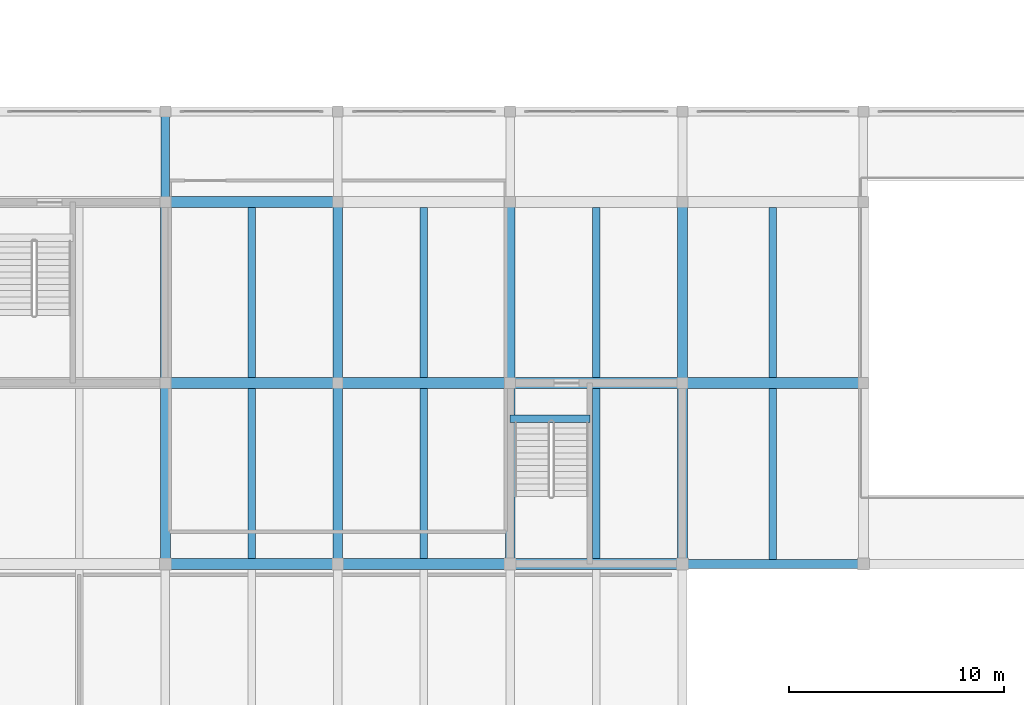
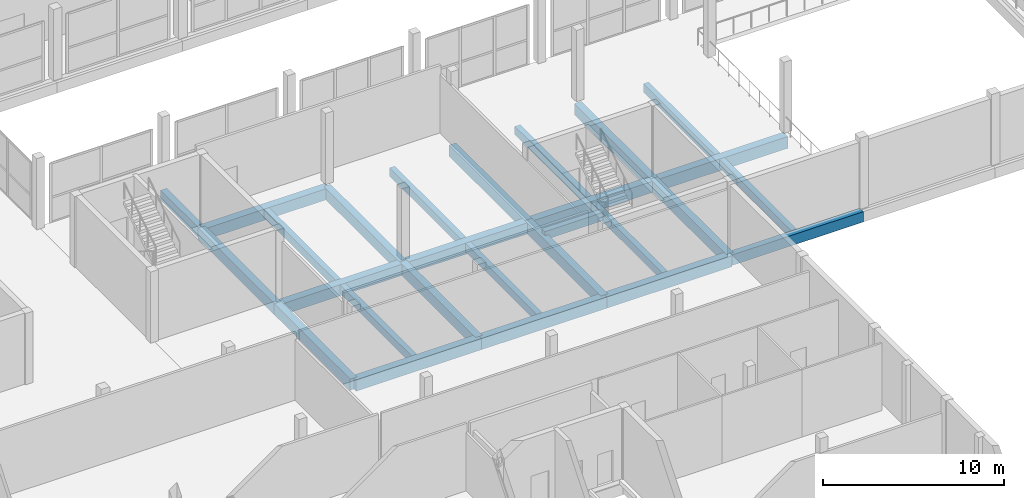
# One storey, part 15 of 47: 27 beams.
"""IFC4 building model written with IfcOpenShell, lengths in metres."""

from ifc_helpers import new_model, si_unit, direction, frame, origin, origin_2d, place, context, subcontext, project, spatial, rectangle, extrude, material, material_profile, profile_set, type_object, element, save


model = new_model("IFC4")

# Units and contexts
model_context = context("Model", 3, precision=1e-05, world=origin(), true_north=direction((0.0, 1.0)))
body_context = subcontext(model_context, "Body", "Model", "MODEL_VIEW")
ifc_project = project(units=[si_unit("LENGTHUNIT", "METRE"), si_unit("AREAUNIT", "SQUARE_METRE"), si_unit("VOLUMEUNIT", "CUBIC_METRE"), si_unit("PLANEANGLEUNIT", "RADIAN"), si_unit("MASSUNIT", "GRAM", prefix="KILO")], contexts=[model_context])

# Site, building, storey
site_placement = place(None, origin())
site = spatial("IfcSite", under=ifc_project, at=site_placement, CompositionType="ELEMENT")
building_placement = place(site_placement, origin())
building = spatial("IfcBuilding", under=site, at=building_placement, Name="Vharandega Faculty of Natural Sciences", CompositionType="ELEMENT")
storey_placement = place(building_placement, frame((0.0, 0.0, 5.39990234375)))
storey = spatial("IfcBuildingStorey", under=building, at=storey_placement, Name="L01", CompositionType="ELEMENT", Elevation=5.39990234375)

# Beams
ifc_material_1 = material(Name="Concrete C40/50", Category="concrete")
ifc_material_profile_1 = material_profile(ifc_material_1, rectangle(XDim=0.39990234375, YDim=0.64990234375, at=origin_2d()), Name="RC 400x650")
ifc_profile_set_1 = profile_set([ifc_material_profile_1], Name="Concrete C40/50")
beam_type_1 = type_object("IfcBeamType", Name="Podium Floor Beam 400x650", PredefinedType="BEAM", material=ifc_profile_set_1)
beam_1_placement = place(storey_placement, frame((32.0, 80.800048828125, -0.60498046875), z_axis=(0.0, 1.0, 0.0), x_axis=(-1.0, 0.0, 0.0)))
element("IfcBeam", 1, at=beam_1_placement, inside=storey, type_object=beam_type_1, Name="Beam L01 5/L-M", PredefinedType="BEAM", context=body_context, shape_type="SweptSolid", body=[
    extrude(rectangle(XDim=0.39990234375, YDim=0.64990234375, at=origin_2d()), origin(), (0.0, 0.0, 1.0), 4.199951171875),
])
ifc_material_2 = material(Name="Concrete C40/50", Category="concrete")
ifc_material_profile_2 = material_profile(ifc_material_2, rectangle(XDim=0.5, YDim=0.800048828125, at=origin_2d()), Name="RC 500x800")
ifc_profile_set_2 = profile_set([ifc_material_profile_2], Name="Concrete C40/50")
beam_type_2 = type_object("IfcBeamType", Name="Podium Heavy Girder 500x800", PredefinedType="BEAM", material=ifc_profile_set_2)
beam_2_placement = place(storey_placement, frame((56.0, 72.39990234375, -0.679931640625), z_axis=(1.0, 0.0, 0.0), x_axis=(0.0, 1.0, 0.0)))
element("IfcBeam", 2, at=beam_2_placement, inside=storey, type_object=beam_type_2, Name="Beam L01 K/8-9", PredefinedType="BEAM", context=body_context, shape_type="SweptSolid", body=[
    extrude(rectangle(XDim=0.5, YDim=0.800048828125, at=origin_2d()), origin(), (0.0, 0.0, 1.0), 8.39990234375),
])
ifc_material_3 = material(Name="Concrete C40/50", Category="concrete")
ifc_material_profile_3 = material_profile(ifc_material_3, rectangle(XDim=0.5, YDim=0.75, at=origin_2d()), Name="RC 500x750")
ifc_profile_set_3 = profile_set([ifc_material_profile_3], Name="Concrete C40/50")
beam_type_3 = type_object("IfcBeamType", Name="Podium Primary Beam 500x750", PredefinedType="BEAM", material=ifc_profile_set_3)
for number, where, z_axis, x_axis, name in (
    (3, (32.0, 64.0, -0.65478515625), (1.0, 0.0, 0.0), (0.0, 1.0, 0.0), "Beam L01 J/5-6"),
    (4, (40.0, 64.0, -0.65478515625), (1.0, 0.0, 0.0), (0.0, 1.0, 0.0), "Beam L01 J/6-7"),
    (5, (48.0, 64.0, -0.65478515625), (1.0, 0.0, 0.0), (0.0, 1.0, 0.0), "Beam L01 J/7-8"),
    (6, (32.0, 72.39990234375, -0.65478515625), (1.0, 0.0, 0.0), (0.0, 1.0, 0.0), "Beam L01 K/5-6"),
    (7, (40.0, 72.39990234375, -0.65478515625), (1.0, 0.0, 0.0), (0.0, 1.0, 0.0), "Beam L01 K/6-7"),
    (8, (48.0, 72.39990234375, -0.65478515625), (1.0, 0.0, 0.0), (0.0, 1.0, 0.0), "Beam L01 K/7-8"),
    (9, (32.0, 80.800048828125, -0.65478515625), (1.0, 0.0, 0.0), (0.0, 1.0, 0.0), "Beam L01 L/5-6"),
):
    element("IfcBeam", number, at=place(storey_placement, frame(where, z_axis=z_axis, x_axis=x_axis)), inside=storey, type_object=beam_type_3, Name=name, PredefinedType="BEAM", context=body_context, shape_type="SweptSolid", body=[
        extrude(rectangle(XDim=0.5, YDim=0.75, at=origin_2d()), origin(), (0.0, 0.0, 1.0), 8.0),
    ])
ifc_material_4 = material(Name="Concrete C40/50", Category="concrete")
ifc_material_profile_4 = material_profile(ifc_material_4, rectangle(XDim=0.35009765625, YDim=0.550048828125, at=origin_2d()), Name="RC 350x550")
ifc_profile_set_4 = profile_set([ifc_material_profile_4], Name="Concrete C40/50")
beam_type_4 = type_object("IfcBeamType", Name="Podium Secondary Beam 350x550", PredefinedType="JOIST", material=ifc_profile_set_4)
beam_3_placement = place(storey_placement, frame((36.0, 64.25, -0.554931640625), z_axis=(0.0, 1.0, 0.0), x_axis=(-1.0, 0.0, 0.0)))
element("IfcBeam", 10, at=beam_3_placement, inside=storey, type_object=beam_type_4, Name="Secondary Joist L01 5-6/J-K", PredefinedType="JOIST", context=body_context, shape_type="SweptSolid", body=[
    extrude(rectangle(XDim=0.35009765625, YDim=0.550048828125, at=origin_2d()), origin(), (0.0, 0.0, 1.0), 7.89990234375),
])
beam_4_placement = place(storey_placement, frame((36.0, 72.64990234375, -0.554931640625), z_axis=(0.0, 1.0, 0.0), x_axis=(-1.0, 0.0, 0.0)))
element("IfcBeam", 11, at=beam_4_placement, inside=storey, type_object=beam_type_4, Name="Secondary Joist L01 5-6/K-L", PredefinedType="JOIST", context=body_context, shape_type="SweptSolid", body=[
    extrude(rectangle(XDim=0.35009765625, YDim=0.550048828125, at=origin_2d()), origin(), (0.0, 0.0, 1.0), 7.900146484375),
])
beam_5_placement = place(storey_placement, frame((44.0, 64.25, -0.554931640625), z_axis=(0.0, 1.0, 0.0), x_axis=(-1.0, 0.0, 0.0)))
element("IfcBeam", 12, at=beam_5_placement, inside=storey, type_object=beam_type_4, Name="Secondary Joist L01 6-7/J-K", PredefinedType="JOIST", context=body_context, shape_type="SweptSolid", body=[
    extrude(rectangle(XDim=0.35009765625, YDim=0.550048828125, at=origin_2d()), origin(), (0.0, 0.0, 1.0), 7.89990234375),
])
beam_6_placement = place(storey_placement, frame((44.0, 72.64990234375, -0.554931640625), z_axis=(0.0, 1.0, 0.0), x_axis=(-1.0, 0.0, 0.0)))
element("IfcBeam", 13, at=beam_6_placement, inside=storey, type_object=beam_type_4, Name="Secondary Joist L01 6-7/K-L", PredefinedType="JOIST", context=body_context, shape_type="SweptSolid", body=[
    extrude(rectangle(XDim=0.35009765625, YDim=0.550048828125, at=origin_2d()), origin(), (0.0, 0.0, 1.0), 7.900146484375),
])
beam_7_placement = place(storey_placement, frame((52.0, 64.25, -0.554931640625), z_axis=(0.0, 1.0, 0.0), x_axis=(-1.0, 0.0, 0.0)))
element("IfcBeam", 14, at=beam_7_placement, inside=storey, type_object=beam_type_4, Name="Secondary Joist L01 7-8/J-K", PredefinedType="JOIST", context=body_context, shape_type="SweptSolid", body=[
    extrude(rectangle(XDim=0.35009765625, YDim=0.550048828125, at=origin_2d()), origin(), (0.0, 0.0, 1.0), 7.89990234375),
])
beam_8_placement = place(storey_placement, frame((52.0, 72.64990234375, -0.554931640625), z_axis=(0.0, 1.0, 0.0), x_axis=(-1.0, 0.0, 0.0)))
element("IfcBeam", 15, at=beam_8_placement, inside=storey, type_object=beam_type_4, Name="Secondary Joist L01 7-8/K-L", PredefinedType="JOIST", context=body_context, shape_type="SweptSolid", body=[
    extrude(rectangle(XDim=0.35009765625, YDim=0.550048828125, at=origin_2d()), origin(), (0.0, 0.0, 1.0), 7.900146484375),
])
beam_9_placement = place(storey_placement, frame((60.199951171875, 64.199951171875, -0.554931640625), z_axis=(0.0, 1.0, 0.0), x_axis=(-1.0, 0.0, 0.0)))
element("IfcBeam", 16, at=beam_9_placement, inside=storey, type_object=beam_type_4, Name="Secondary Joist L01 8-9/J-K", PredefinedType="JOIST", context=body_context, shape_type="SweptSolid", body=[
    extrude(rectangle(XDim=0.35009765625, YDim=0.550048828125, at=origin_2d()), origin(), (0.0, 0.0, 1.0), 7.949951171875),
])
beam_10_placement = place(storey_placement, frame((60.199951171875, 72.64990234375, -0.554931640625), z_axis=(0.0, 1.0, 0.0), x_axis=(-1.0, 0.0, 0.0)))
element("IfcBeam", 17, at=beam_10_placement, inside=storey, type_object=beam_type_4, Name="Secondary Joist L01 8-9/K-L", PredefinedType="JOIST", context=body_context, shape_type="SweptSolid", body=[
    extrude(rectangle(XDim=0.35009765625, YDim=0.550048828125, at=origin_2d()), origin(), (0.0, 0.0, 1.0), 7.900146484375),
])
ifc_material_5 = material(Name="Concrete C40/50", Category="concrete")
ifc_material_profile_5 = material_profile(ifc_material_5, rectangle(XDim=0.39990234375, YDim=0.699951171875, at=origin_2d()), Name="RC 400x700")
ifc_profile_set_5 = profile_set([ifc_material_profile_5], Name="Concrete C40/50")
beam_type_5 = type_object("IfcBeamType", Name="Podium Spandrel Beam 400x700", PredefinedType="SPANDREL", material=ifc_profile_set_5)
beam_11_placement = place(storey_placement, frame((56.0, 64.0, -0.6298828125), z_axis=(1.0, 0.0, 0.0), x_axis=(0.0, 1.0, 0.0)))
element("IfcBeam", 18, at=beam_11_placement, inside=storey, type_object=beam_type_5, Name="Beam L01 J/8-9", PredefinedType="SPANDREL", context=body_context, shape_type="SweptSolid", body=[
    extrude(rectangle(XDim=0.39990234375, YDim=0.699951171875, at=origin_2d()), origin(), (0.0, 0.0, 1.0), 8.39990234375),
])
ifc_material_6 = material(Name="Concrete C40/50", Category="concrete")
ifc_material_profile_6 = material_profile(ifc_material_6, rectangle(XDim=0.449951171875, YDim=0.75, at=origin_2d()), Name="RC 450x750")
ifc_profile_set_6 = profile_set([ifc_material_profile_6], Name="Concrete C40/50")
beam_type_6 = type_object("IfcBeamType", Name="Podium Spine Beam 450x750", PredefinedType="BEAM", material=ifc_profile_set_6)
beam_12_placement = place(storey_placement, frame((32.0, 64.0, -0.65478515625), z_axis=(0.0, 1.0, 0.0), x_axis=(-1.0, 0.0, 0.0)))
element("IfcBeam", 19, at=beam_12_placement, inside=storey, type_object=beam_type_6, Name="Beam L01 5/J-K", PredefinedType="BEAM", context=body_context, shape_type="SweptSolid", body=[
    extrude(rectangle(XDim=0.449951171875, YDim=0.75, at=origin_2d()), origin(), (0.0, 0.0, 1.0), 8.39990234375),
])
beam_13_placement = place(storey_placement, frame((32.0, 72.39990234375, -0.65478515625), z_axis=(0.0, 1.0, 0.0), x_axis=(-1.0, 0.0, 0.0)))
element("IfcBeam", 20, at=beam_13_placement, inside=storey, type_object=beam_type_6, Name="Beam L01 5/K-L", PredefinedType="BEAM", context=body_context, shape_type="SweptSolid", body=[
    extrude(rectangle(XDim=0.449951171875, YDim=0.75, at=origin_2d()), origin(), (0.0, 0.0, 1.0), 8.400146484375),
])
beam_14_placement = place(storey_placement, frame((40.0, 64.0, -0.65478515625), z_axis=(0.0, 1.0, 0.0), x_axis=(-1.0, 0.0, 0.0)))
element("IfcBeam", 21, at=beam_14_placement, inside=storey, type_object=beam_type_6, Name="Beam L01 6/J-K", PredefinedType="BEAM", context=body_context, shape_type="SweptSolid", body=[
    extrude(rectangle(XDim=0.449951171875, YDim=0.75, at=origin_2d()), origin(), (0.0, 0.0, 1.0), 8.39990234375),
])
beam_15_placement = place(storey_placement, frame((40.0, 72.39990234375, -0.65478515625), z_axis=(0.0, 1.0, 0.0), x_axis=(-1.0, 0.0, 0.0)))
element("IfcBeam", 22, at=beam_15_placement, inside=storey, type_object=beam_type_6, Name="Beam L01 6/K-L", PredefinedType="BEAM", context=body_context, shape_type="SweptSolid", body=[
    extrude(rectangle(XDim=0.449951171875, YDim=0.75, at=origin_2d()), origin(), (0.0, 0.0, 1.0), 8.400146484375),
])
beam_16_placement = place(storey_placement, frame((48.0, 64.0, -0.65478515625), z_axis=(0.0, 1.0, 0.0), x_axis=(-1.0, 0.0, 0.0)))
element("IfcBeam", 23, at=beam_16_placement, inside=storey, type_object=beam_type_6, Name="Beam L01 7/J-K", PredefinedType="BEAM", context=body_context, shape_type="SweptSolid", body=[
    extrude(rectangle(XDim=0.449951171875, YDim=0.75, at=origin_2d()), origin(), (0.0, 0.0, 1.0), 8.39990234375),
])
beam_17_placement = place(storey_placement, frame((48.0, 72.39990234375, -0.65478515625), z_axis=(0.0, 1.0, 0.0), x_axis=(-1.0, 0.0, 0.0)))
element("IfcBeam", 24, at=beam_17_placement, inside=storey, type_object=beam_type_6, Name="Beam L01 7/K-L", PredefinedType="BEAM", context=body_context, shape_type="SweptSolid", body=[
    extrude(rectangle(XDim=0.449951171875, YDim=0.75, at=origin_2d()), origin(), (0.0, 0.0, 1.0), 8.400146484375),
])
beam_18_placement = place(storey_placement, frame((56.0, 64.0, -0.65478515625), z_axis=(0.0, 1.0, 0.0), x_axis=(-1.0, 0.0, 0.0)))
element("IfcBeam", 25, at=beam_18_placement, inside=storey, type_object=beam_type_6, Name="Beam L01 8/J-K", PredefinedType="BEAM", context=body_context, shape_type="SweptSolid", body=[
    extrude(rectangle(XDim=0.449951171875, YDim=0.75, at=origin_2d()), origin(), (0.0, 0.0, 1.0), 8.39990234375),
])
beam_19_placement = place(storey_placement, frame((56.0, 72.39990234375, -0.65478515625), z_axis=(0.0, 1.0, 0.0), x_axis=(-1.0, 0.0, 0.0)))
element("IfcBeam", 26, at=beam_19_placement, inside=storey, type_object=beam_type_6, Name="Beam L01 8/K-L", PredefinedType="BEAM", context=body_context, shape_type="SweptSolid", body=[
    extrude(rectangle(XDim=0.449951171875, YDim=0.75, at=origin_2d()), origin(), (0.0, 0.0, 1.0), 8.400146484375),
])
ifc_material_7 = material(Name="Concrete C40/50", Category="concrete")
ifc_material_profile_7 = material_profile(ifc_material_7, rectangle(XDim=0.35009765625, YDim=0.550048828125, at=origin_2d()), Name="RC 350x550")
ifc_profile_set_7 = profile_set([ifc_material_profile_7], Name="Concrete C40/50")
beam_type_7 = type_object("IfcBeamType", Name="Stair Header Trimmer Beam 350x550", PredefinedType="BEAM", material=ifc_profile_set_7)
beam_20_placement = place(storey_placement, frame((48.0, 70.75, -0.27490234375), z_axis=(1.0, 0.0, 0.0), x_axis=(0.0, 1.0, 0.0)))
element("IfcBeam", 27, at=beam_20_placement, inside=storey, type_object=beam_type_7, Name="Stair Landing Trimmer Beam C5 L01", PredefinedType="BEAM", context=body_context, shape_type="SweptSolid", body=[
    extrude(rectangle(XDim=0.35009765625, YDim=0.550048828125, at=origin_2d()), origin(), (0.0, 0.0, 1.0), 3.699951171875),
])

save(model, "model.ifc")
